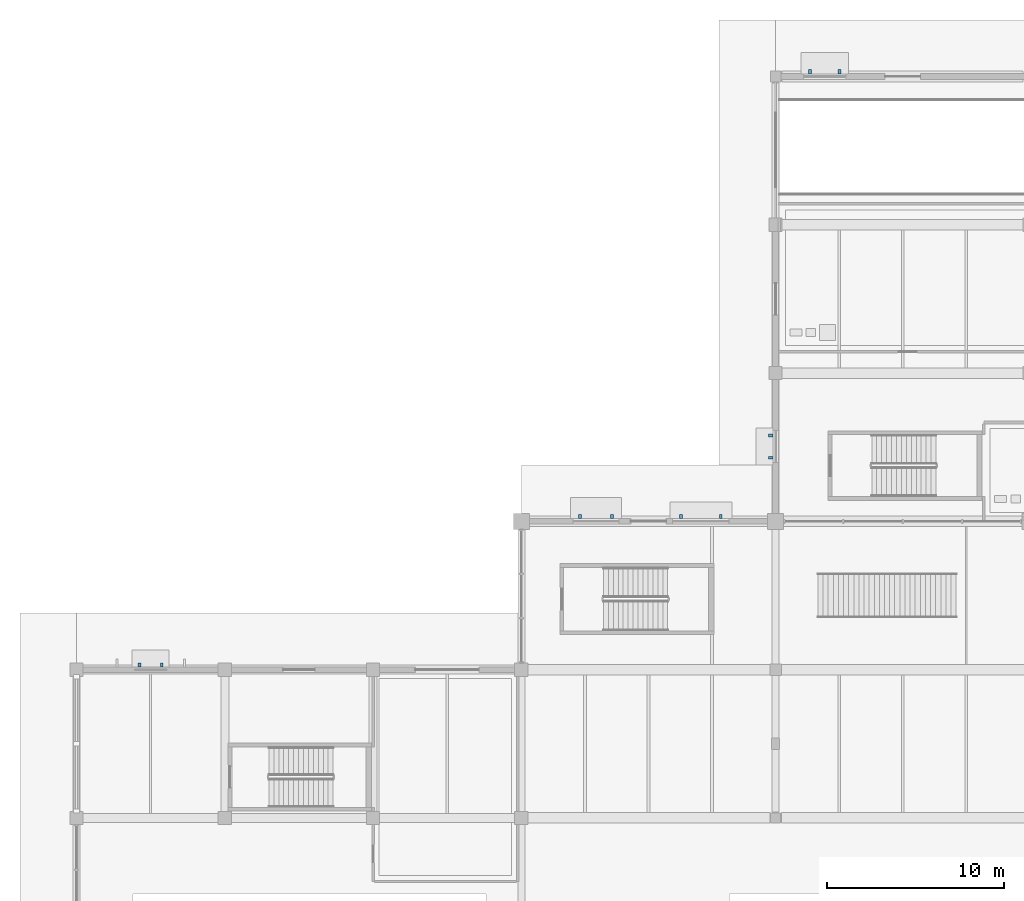
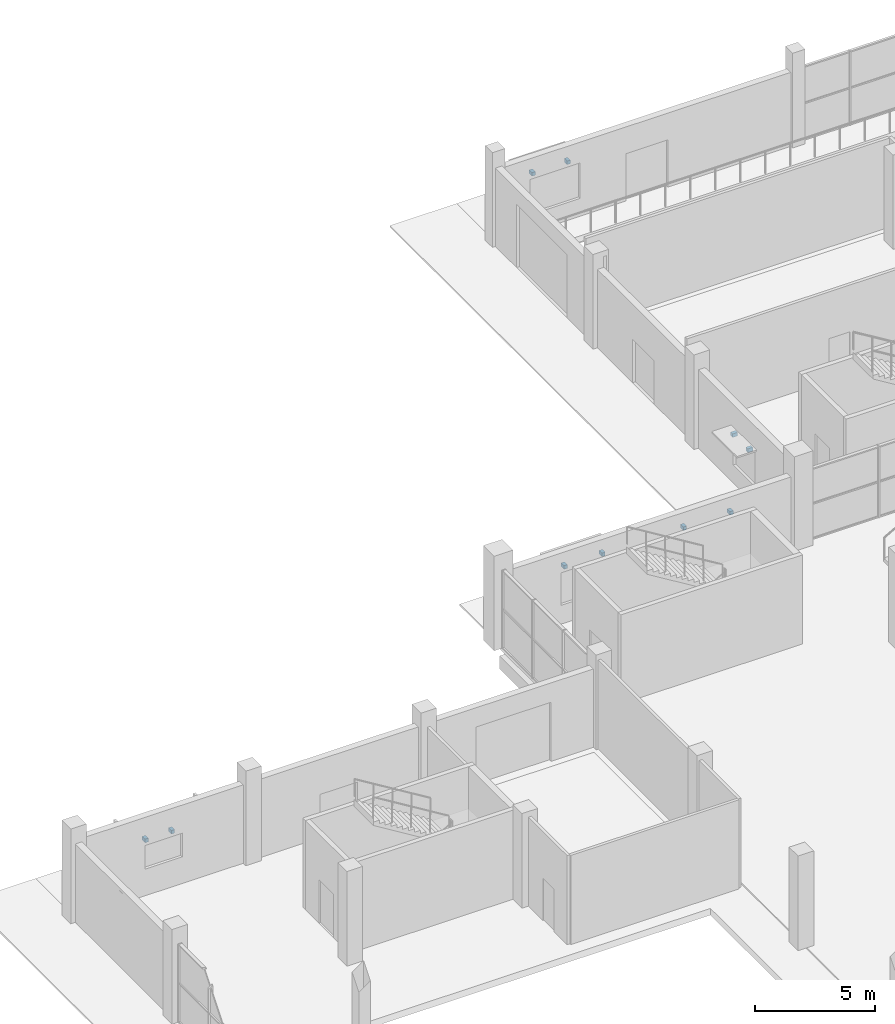
# One storey, part 104 of 130: 10 discrete accessories.
"""IFC4 building model written with IfcOpenShell, lengths in metres."""

from ifc_helpers import new_model, si_unit, direction, frame, origin, origin_2d, place, context, subcontext, project, spatial, rectangle, extrude, material, type_object, element, save


model = new_model("IFC4")

# Units and contexts
model_context = context("Model", 3, precision=1e-05, world=origin(), true_north=direction((0.0, 1.0)))
body_context = subcontext(model_context, "Body", "Model", "MODEL_VIEW")
ifc_project = project(units=[si_unit("LENGTHUNIT", "METRE"), si_unit("AREAUNIT", "SQUARE_METRE"), si_unit("VOLUMEUNIT", "CUBIC_METRE"), si_unit("PLANEANGLEUNIT", "RADIAN"), si_unit("MASSUNIT", "GRAM", prefix="KILO"), si_unit("THERMODYNAMICTEMPERATUREUNIT", "KELVIN")], contexts=[model_context])

# Site, building, storey
site_placement = place(None, origin())
site = spatial("IfcSite", under=ifc_project, at=site_placement, CompositionType="ELEMENT")
building_placement = place(site_placement, origin())
building = spatial("IfcBuilding", under=site, at=building_placement, Name="Nduvali Passage Aquatics Centre", CompositionType="ELEMENT")
storey_placement = place(building_placement, origin())
storey = spatial("IfcBuildingStorey", under=building, at=storey_placement, Name="L00", CompositionType="ELEMENT", Elevation=0.0)

# Discrete accessories
ifc_material = material(Name="Steel S355", Category="steel")
discrete_accessory_type = type_object("IfcDiscreteAccessoryType", Name="ENV-BRK-S355", PredefinedType="BRACKET", material=ifc_material)
for number, where, z_axis, x_axis, name in (
    (1, (4.830078125, 84.27001953125, 2.43505859375), (0.0, 0.0, 1.0), (-1.0, 0.0, 0.0), "L00 Sunshade Bracket 0071"),
    (2, (3.570068359375, 84.27001953125, 2.43505859375), (0.0, 0.0, 1.0), (-1.0, 0.0, 0.0), "L00 Sunshade Bracket 0072"),
    (3, (36.489990234375, 92.669921875, 2.43505859375), (0.0, 0.0, 1.0), (-1.0, 0.0, 0.0), "L00 Sunshade Bracket 0099"),
    (4, (34.25, 92.669921875, 2.43505859375), (0.0, 0.0, 1.0), (-1.0, 0.0, 0.0), "L00 Sunshade Bracket 0100"),
    (5, (30.340087890625, 92.669921875, 2.47998046875), (0.0, 0.0, 1.0), (-1.0, 0.0, 0.0), "L00 Sunshade Bracket 0101"),
    (6, (28.52001953125, 92.669921875, 2.47998046875), (0.0, 0.0, 1.0), (-1.0, 0.0, 0.0), "L00 Sunshade Bracket 0102"),
    (7, (43.22412109375, 117.8701171875, 2.580078125), (0.0, 0.0, 1.0), (-1.0, 0.0, 0.0), "L00 Sunshade Bracket 0105"),
    (8, (41.5439453125, 117.8701171875, 2.580078125), (0.0, 0.0, 1.0), (-1.0, 0.0, 0.0), "L00 Sunshade Bracket 0106"),
    (9, (39.330078125, 97.26708984375, 2.5849609375), (0.0, 0.0, 1.0), (0.0, -1.0, 0.0), "L00 Sunshade Bracket 0111"),
    (10, (39.330078125, 96.007080078125, 2.5849609375), (0.0, 0.0, 1.0), (0.0, -1.0, 0.0), "L00 Sunshade Bracket 0112"),
):
    element("IfcDiscreteAccessory", number, at=place(storey_placement, frame(where, z_axis=z_axis, x_axis=x_axis)), inside=storey, type_object=discrete_accessory_type, Name=name, PredefinedType="BRACKET", context=body_context, shape_type="SweptSolid", body=[
        extrude(rectangle(XDim=0.159912109375, YDim=0.239990234375, at=origin_2d()), origin(), (0.0, 0.0, 1.0), 0.179931640625),
    ])

save(model, "model.ifc")
